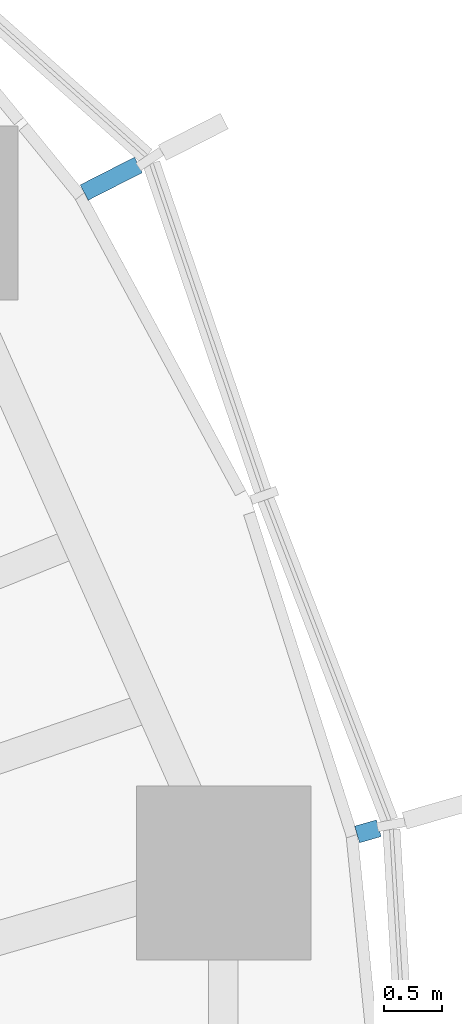
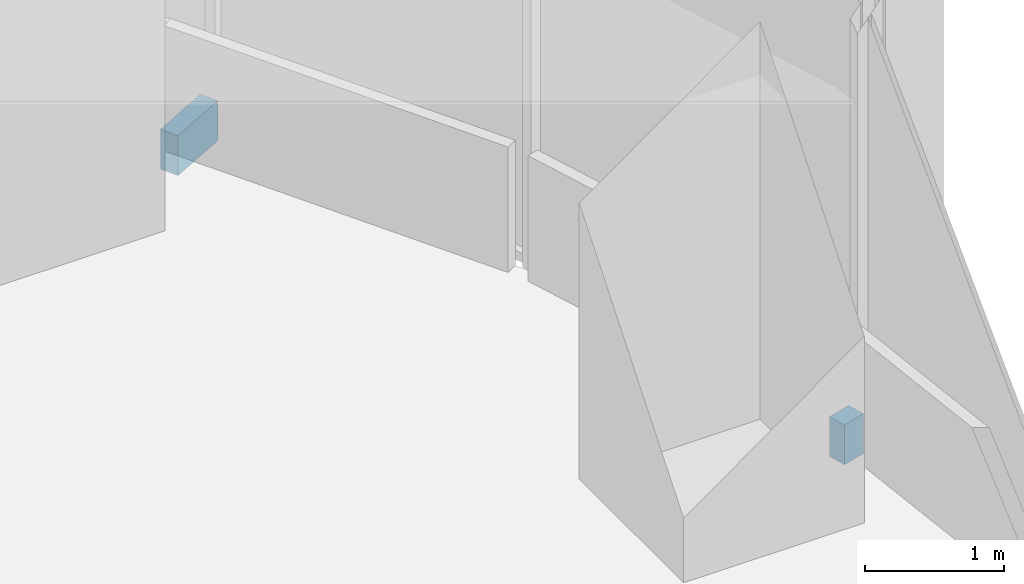
# One storey, part 16 of 18: 2 discrete accessories.
"""IFC4 building model written with IfcOpenShell, lengths in metres."""

from ifc_helpers import new_model, si_unit, direction, frame, origin, origin_2d, place, context, subcontext, project, spatial, rectangle, extrude, material, type_object, element, save


model = new_model("IFC4")

# Units and contexts
model_context = context("Model", 3, precision=1e-05, world=origin(), true_north=direction((0.0, 1.0)))
body_context = subcontext(model_context, "Body", "Model", "MODEL_VIEW")
ifc_project = project(units=[si_unit("LENGTHUNIT", "METRE"), si_unit("AREAUNIT", "SQUARE_METRE"), si_unit("VOLUMEUNIT", "CUBIC_METRE"), si_unit("PLANEANGLEUNIT", "RADIAN"), si_unit("MASSUNIT", "GRAM", prefix="KILO")], contexts=[model_context])

# Site, building, storey
site_placement = place(None, origin())
site = spatial("IfcSite", under=ifc_project, at=site_placement, CompositionType="ELEMENT")
building_placement = place(site_placement, origin())
building = spatial("IfcBuilding", under=site, at=building_placement, Name="Ghaith Harvest Tower", CompositionType="ELEMENT")
storey_placement = place(building_placement, frame((0.0, 0.0, 126.0)))
storey = spatial("IfcBuildingStorey", under=building, at=storey_placement, Name="L26", CompositionType="ELEMENT", Elevation=126.0)

# Discrete accessories
ifc_material_1 = material(Name="Stainless steel grade 1.4401", Category="steel")
discrete_accessory_type_1 = type_object("IfcDiscreteAccessoryType", Name="CURTAIN WALL BRACKET 195", PredefinedType="BRACKET", material=ifc_material_1)
discrete_accessory_1_placement = place(storey_placement, frame((30.528076171875, 8.8232421875, -0.25), z_axis=(0.0, 0.0, 1.0), x_axis=(0.960680349985, 0.277656739792, 0.0)))
element("IfcDiscreteAccessory", 1, at=discrete_accessory_1_placement, inside=storey, type_object=discrete_accessory_type_1, Name="CW-L bracket 1 bay 02 L26", PredefinedType="BRACKET", context=body_context, shape_type="SweptSolid", body=[
    extrude(rectangle(XDim=0.195068359375, YDim=0.14990234375, at=origin_2d()), origin(), (0.0, 0.0, 1.0), 0.35009765625),
])
ifc_material_2 = material(Name="Stainless steel grade 1.4401", Category="steel")
discrete_accessory_type_2 = type_object("IfcDiscreteAccessoryType", Name="CURTAIN WALL BRACKET 525", PredefinedType="BRACKET", material=ifc_material_2)
discrete_accessory_2_placement = place(storey_placement, frame((28.318115234375, 14.442626953125, -0.25), z_axis=(0.0, 0.0, 1.0), x_axis=(0.890830752257, 0.454335306611, 0.0)))
element("IfcDiscreteAccessory", 2, at=discrete_accessory_2_placement, inside=storey, type_object=discrete_accessory_type_2, Name="CW-L bracket 3 bay 02 L26", PredefinedType="BRACKET", context=body_context, shape_type="SweptSolid", body=[
    extrude(rectangle(XDim=0.52490234375, YDim=0.14990234375, at=origin_2d()), origin(), (0.0, 0.0, 1.0), 0.35009765625),
])

save(model, "model.ifc")
